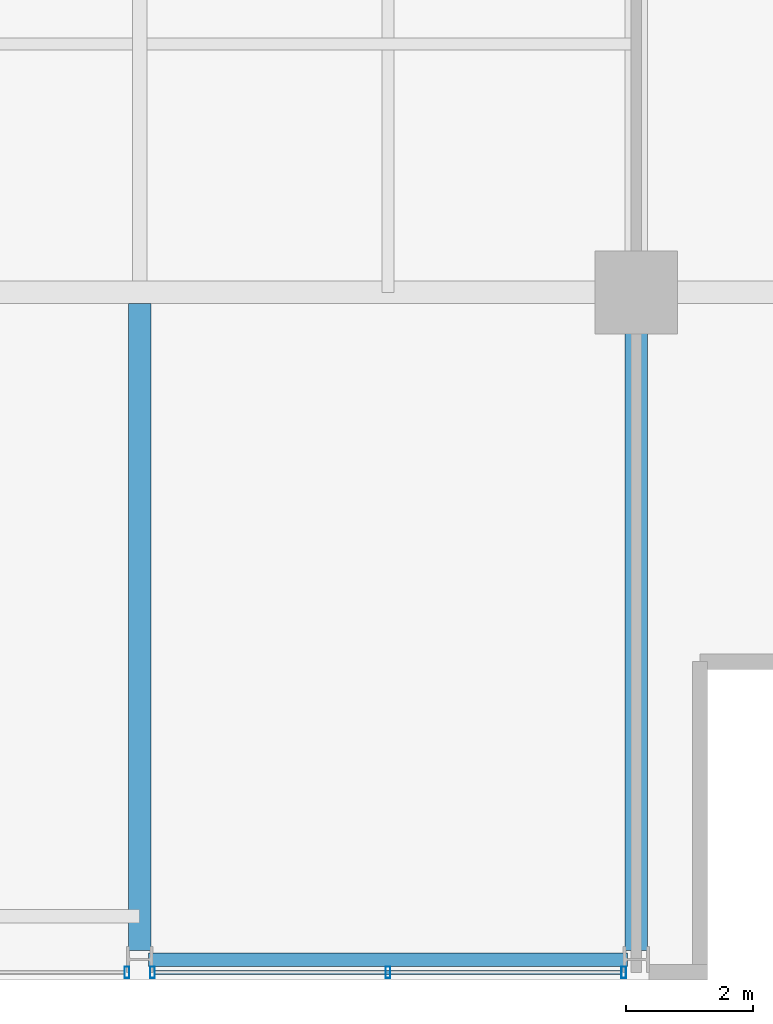
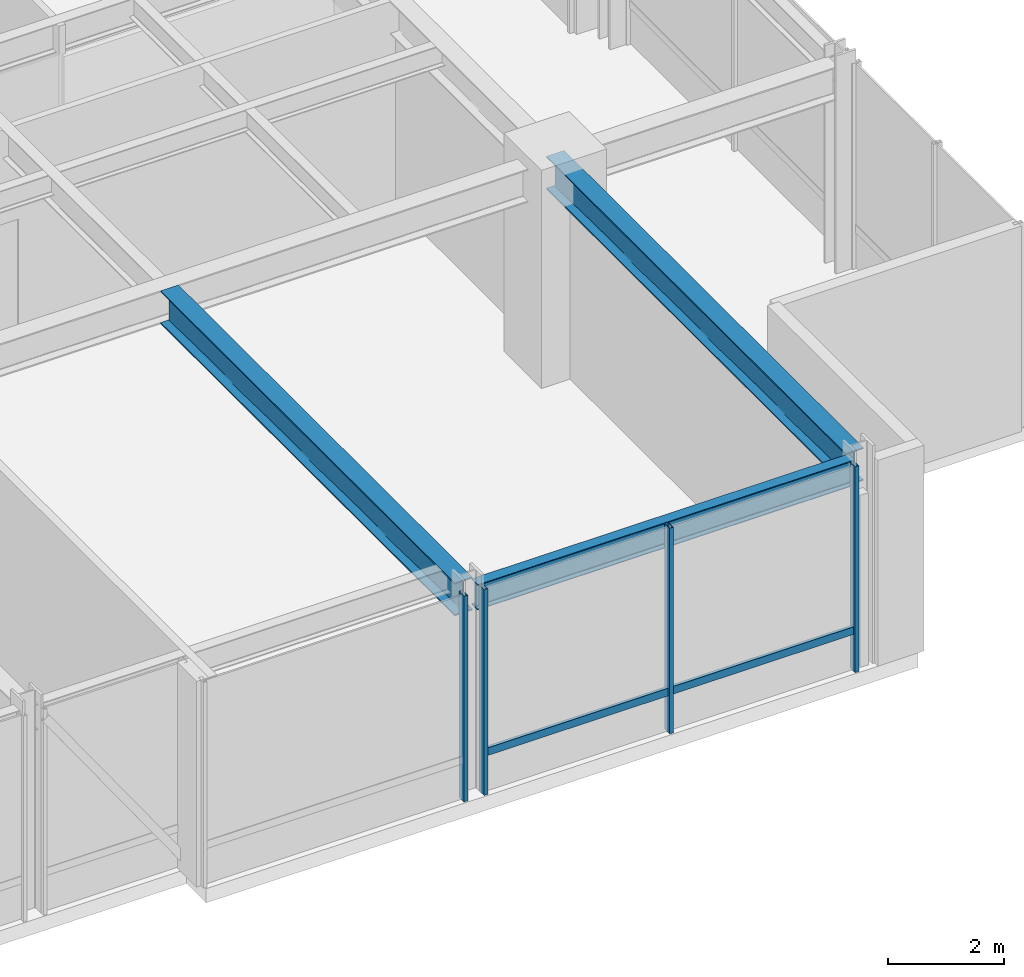
# One storey, part 11 of 32: 5 members, 3 beams, 2 elements without a shape of their own.
"""IFC4 building model written with IfcOpenShell, lengths in metres."""

from ifc_helpers import new_model, si_unit, direction, frame, origin, origin_2d, place, context, subcontext, project, spatial, hollow_rectangle, i_section, extrude, material, layer, layer_set, material_profile, profile_set, type_object, element, aggregate, save


model = new_model("IFC4")

# Units and contexts
model_context = context("Model", 3, precision=1e-05, world=origin(), true_north=direction((0.0, 1.0)))
body_context = subcontext(model_context, "Body", "Model", "MODEL_VIEW")
ifc_project = project(units=[si_unit("LENGTHUNIT", "METRE"), si_unit("AREAUNIT", "SQUARE_METRE"), si_unit("VOLUMEUNIT", "CUBIC_METRE"), si_unit("PLANEANGLEUNIT", "RADIAN"), si_unit("MASSUNIT", "GRAM", prefix="KILO")], contexts=[model_context])

# Site, building, storey
site_placement = place(None, origin())
site = spatial("IfcSite", under=ifc_project, at=site_placement, CompositionType="ELEMENT")
building_placement = place(site_placement, origin())
building = spatial("IfcBuilding", under=site, at=building_placement, Name="Drelvath Grand Hotel", CompositionType="ELEMENT")
storey_placement = place(building_placement, frame((0.0, 0.0, 145.800048828125)))
storey = spatial("IfcBuildingStorey", under=building, at=storey_placement, Name="L37", CompositionType="ELEMENT", Elevation=145.800048828125)

# Curtain wall, member
ifc_material_1 = material(Name="Brushed Pale-Silver Anodised Aluminium Frame", Category="aluminium")
ifc_layer = layer(ifc_material_1, 0.199951171875)
ifc_layer_set = layer_set([ifc_layer], Name="Brushed Pale-Silver Anodised Aluminium Frame")
curtain_wall_type = type_object("IfcCurtainWallType", Name="Stick Curtain Wall CW-04 Brushed Silver Upper-Mid", PredefinedType="NOTDEFINED", material=ifc_layer_set)
curtain_wall_1_placement = place(storey_placement, origin())
curtain_wall_1 = element("IfcCurtainWall", 1, at=curtain_wall_1_placement, inside=storey, type_object=curtain_wall_type, Name="L37 CW-04 Curtain Wall CW04-L37-SE2", PredefinedType="NOTDEFINED")
ifc_material_profile_1 = material_profile(ifc_material_1, hollow_rectangle(XDim=0.06494140625, YDim=0.159912109375, WallThickness=0.00390625, at=origin_2d()), Name="HSS160X65X4")
ifc_profile_set_1 = profile_set([ifc_material_profile_1], Name="Brushed Pale-Silver Anodised Aluminium Frame")
member_type_1 = type_object("IfcMemberType", Name="Curtain Wall Horizontal Transom CW-04 HSS160X65X4", PredefinedType="USERDEFINED", material=ifc_profile_set_1)
member_1_placement = place(storey_placement, frame((15.9599609375, 0.1201171875, 0.849853515625), z_axis=(-1.0, 0.0, 0.0), x_axis=(0.0, -1.0, 0.0)))
member_1 = element("IfcMember", 2, at=member_1_placement, type_object=member_type_1, Name="CW04-L37-SE2 Sill Transom", ObjectType="TRANSOM", PredefinedType="USERDEFINED", context=body_context, shape_type="SweptSolid", body=[
    extrude(hollow_rectangle(XDim=0.06494140625, YDim=0.159912109375, WallThickness=0.00390625, at=origin_2d()), origin(), (0.0, 0.0, 1.0), 7.31982421875),
])

curtain_wall_2_placement = place(storey_placement, origin())
curtain_wall_2 = element("IfcCurtainWall", 3, at=curtain_wall_2_placement, inside=storey, type_object=curtain_wall_type, Name="L37 CW-04 Curtain Wall CW04-L37-SE1", PredefinedType="NOTDEFINED")
ifc_material_profile_2 = material_profile(ifc_material_1, hollow_rectangle(XDim=0.074951171875, YDim=0.179931640625, WallThickness=0.0048828125, at=origin_2d()), Name="HSS180X75X5")
ifc_profile_set_2 = profile_set([ifc_material_profile_2], Name="Brushed Pale-Silver Anodised Aluminium Frame")
member_type_2 = type_object("IfcMemberType", Name="Curtain Wall Vertical Mullion CW-04 HSS180X75X5", PredefinedType="MULLION", material=ifc_profile_set_2)
member_2_placement = place(storey_placement, frame((8.199951171875, 0.1201171875, 0.0), z_axis=(0.0, 0.0, 1.0), x_axis=(1.0, 0.0, 0.0)))
member_2 = element("IfcMember", 4, at=member_2_placement, type_object=member_type_2, Name="CW04-L37-SE1 Mullion 1", PredefinedType="MULLION", context=body_context, shape_type="SweptSolid", body=[
    extrude(hollow_rectangle(XDim=0.074951171875, YDim=0.179931640625, WallThickness=0.0048828125, at=origin_2d()), origin(), (0.0, 0.0, 1.0), 4.33984375),
])
aggregate(curtain_wall_2, [member_2])

# Member
member_3_placement = place(storey_placement, frame((16.0, 0.1201171875, 0.0), z_axis=(0.0, 0.0, 1.0), x_axis=(1.0, 0.0, 0.0)))
member_3 = element("IfcMember", 5, at=member_3_placement, type_object=member_type_2, Name="CW04-L37-SE2 Mullion 1", PredefinedType="MULLION", context=body_context, shape_type="SweptSolid", body=[
    extrude(hollow_rectangle(XDim=0.074951171875, YDim=0.179931640625, WallThickness=0.0048828125, at=origin_2d()), origin(), (0.0, 0.0, 1.0), 4.33984375),
])

member_4_placement = place(storey_placement, frame((12.300048828125, 0.1201171875, 0.0), z_axis=(0.0, 0.0, 1.0), x_axis=(1.0, 0.0, 0.0)))
member_4 = element("IfcMember", 6, at=member_4_placement, type_object=member_type_2, Name="CW04-L37-SE2 Mullion 2", PredefinedType="MULLION", context=body_context, shape_type="SweptSolid", body=[
    extrude(hollow_rectangle(XDim=0.074951171875, YDim=0.179931640625, WallThickness=0.0048828125, at=origin_2d()), origin(), (0.0, 0.0, 1.0), 4.33984375),
])

member_5_placement = place(storey_placement, frame((8.60009765625, 0.1201171875, 0.0), z_axis=(0.0, 0.0, 1.0), x_axis=(1.0, 0.0, 0.0)))
member_5 = element("IfcMember", 7, at=member_5_placement, type_object=member_type_2, Name="CW04-L37-SE2 Mullion 3", PredefinedType="MULLION", context=body_context, shape_type="SweptSolid", body=[
    extrude(hollow_rectangle(XDim=0.074951171875, YDim=0.179931640625, WallThickness=0.0048828125, at=origin_2d()), origin(), (0.0, 0.0, 1.0), 4.33984375),
])

aggregate(curtain_wall_1, [member_3, member_4, member_5, member_1])

# Beams
ifc_material_2 = material(Name="Steel ASTM A992 Gr 50", Category="steel")
ifc_material_profile_3 = material_profile(ifc_material_2, i_section(OverallWidth=0.210205078125, OverallDepth=0.53662109375, WebThickness=0.010986328125, FlangeThickness=0.017333984375, FilletRadius=0.01806640625, at=origin_2d()), Name="W21X68")
ifc_profile_set_3 = profile_set([ifc_material_profile_3], Name="Steel ASTM A992 Gr 50")
beam_type_1 = type_object("IfcBeamType", Name="Perimeter Spandrel Beam W21X68", PredefinedType="SPANDREL", material=ifc_profile_set_3)
beam_1_placement = place(storey_placement, frame((8.5400390625, 0.320068359375, 4.071533203125), z_axis=(1.0, 0.0, 0.0), x_axis=(0.0, 1.0, 0.0)))
element("IfcBeam", 8, at=beam_1_placement, inside=storey, type_object=beam_type_1, Name="L37 Spandrel South E", PredefinedType="SPANDREL", context=body_context, shape_type="SweptSolid", body=[
    extrude(i_section(OverallWidth=0.210205078125, OverallDepth=0.53662109375, WebThickness=0.010986328125, FlangeThickness=0.017333984375, FilletRadius=0.01806640625, at=origin_2d()), origin(), (0.0, 0.0, 1.0), 7.52001953125),
])
ifc_material_profile_4 = material_profile(ifc_material_2, i_section(OverallWidth=0.354736328125, OverallDepth=0.695556640625, WebThickness=0.015380859375, FlangeThickness=0.025146484375, FilletRadius=0.02392578125, at=origin_2d()), Name="W27X146")
ifc_profile_set_4 = profile_set([ifc_material_profile_4], Name="Steel ASTM A992 Gr 50")
beam_type_2 = type_object("IfcBeamType", Name="Primary Floor Girder W27X146", PredefinedType="BEAM", material=ifc_profile_set_4)
beam_2_placement = place(storey_placement, frame((16.199951171875, 0.4599609375, 3.9921875), z_axis=(0.0, 1.0, 0.0), x_axis=(-1.0, 0.0, 0.0)))
element("IfcBeam", 9, at=beam_2_placement, inside=storey, type_object=beam_type_2, Name="L37 South Grid Girder 7", PredefinedType="BEAM", context=body_context, shape_type="SweptSolid", body=[
    extrude(i_section(OverallWidth=0.354736328125, OverallDepth=0.695556640625, WebThickness=0.015380859375, FlangeThickness=0.025146484375, FilletRadius=0.02392578125, at=origin_2d()), origin(), (0.0, 0.0, 1.0), 10.340087890625),
])
beam_3_placement = place(storey_placement, frame((8.39990234375, 0.4599609375, 3.9921875), z_axis=(0.0, 1.0, 0.0), x_axis=(-1.0, 0.0, 0.0)))
element("IfcBeam", 10, at=beam_3_placement, inside=storey, type_object=beam_type_2, Name="L37 South Wing Girder 6", PredefinedType="BEAM", context=body_context, shape_type="SweptSolid", body=[
    extrude(i_section(OverallWidth=0.354736328125, OverallDepth=0.695556640625, WebThickness=0.015380859375, FlangeThickness=0.025146484375, FilletRadius=0.02392578125, at=origin_2d()), origin(), (0.0, 0.0, 1.0), 10.16259765625),
])

save(model, "model.ifc")
